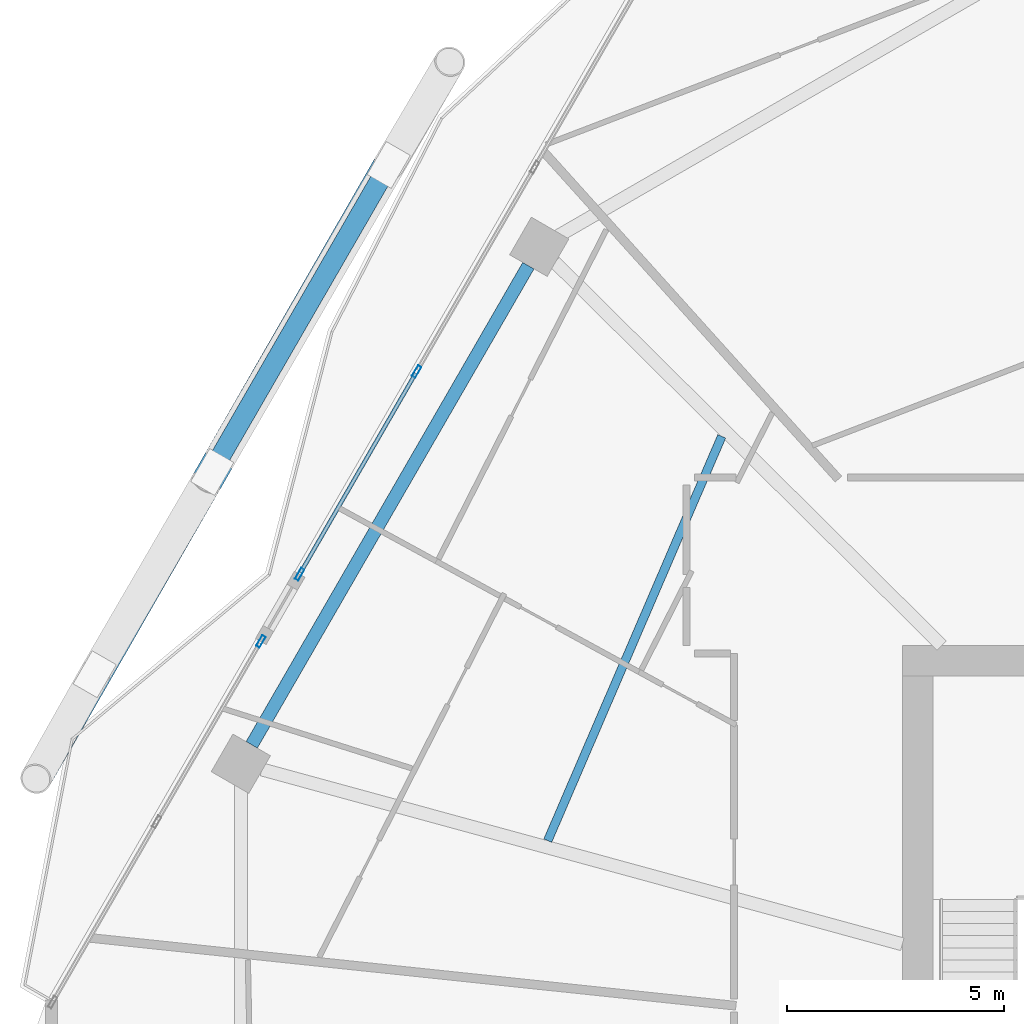
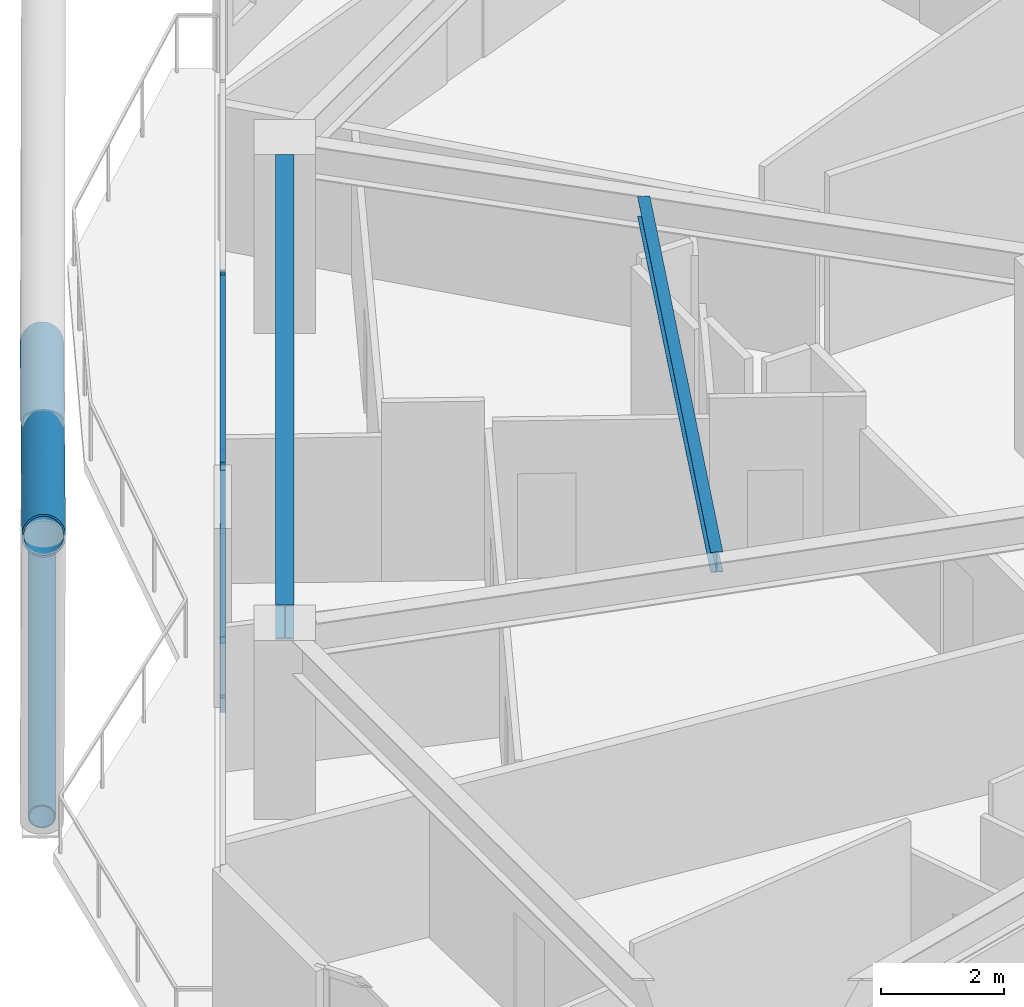
# One storey, part 11 of 28: 7 members, 2 beams, 2 elements without a shape of their own.
"""IFC4 building model written with IfcOpenShell, lengths in metres."""

import ifcopenshell
import ifcopenshell.guid

model = None  # the IFC model being written
_history = None  # IfcOwnerHistory: only IFC2X3 demands one
_inside = {}  # id of a spatial element -> (the spatial element, [elements in it])
_under = {}  # id of a project, library or spatial element -> (it, [spatial elements below it])
_declared = {}  # id of a project -> (the project, [libraries it declares])
_typed = {}  # id of a type object -> (the type object, [elements of that type])
_made_of = {}  # id of a material, layer set ... -> (it, [elements and type objects made of it])


def new_model(schema):
    """Start an empty IFC model of exactly this schema.

    Asked for "IFC4X3", IfcOpenShell would pick the latest addendum, in which some entities
    have other attributes; the version numbers below select the first issue.
    IFC2X3 requires an IfcOwnerHistory on every rooted entity: one is made here for all.
    """
    global model, _history
    if schema == "IFC4X3":
        model = ifcopenshell.file(schema_version=(4, 3, 0, 0))
    else:
        model = ifcopenshell.file(schema=schema)
    _inside.clear()
    _under.clear()
    _declared.clear()
    _typed.clear()
    _made_of.clear()
    _history = None
    if model.schema == "IFC2X3":
        org = make("IfcOrganization", Name="unknown")
        user = make(
            "IfcPersonAndOrganization",
            ThePerson=make("IfcPerson", FamilyName="unknown"),
            TheOrganization=org,
        )
        app = make(
            "IfcApplication",
            ApplicationDeveloper=org,
            Version="unknown",
            ApplicationFullName="unknown",
            ApplicationIdentifier="unknown",
        )
        _history = make(
            "IfcOwnerHistory",
            OwningUser=user,
            OwningApplication=app,
            ChangeAction="ADDED",
            CreationDate=0,
        )
    return model


def make(cls, **values):
    """One entity of the class cls with the attributes given. An attribute that is None is left unset."""
    return model.create_entity(
        cls, **{name: value for name, value in values.items() if value is not None}
    )


def rooted(cls, **values):
    """An entity with a GlobalId (a new one), such as an element, a storey or a relation."""
    return make(cls, GlobalId=ifcopenshell.guid.new(), OwnerHistory=_history, **values)


def si_unit(unit_type, name, prefix=None):
    """IfcSIUnit, for example si_unit("LENGTHUNIT", "METRE", prefix="MILLI")."""
    return make("IfcSIUnit", UnitType=unit_type, Prefix=prefix, Name=name)


def assignment(units):
    """IfcUnitAssignment: the units of a project."""
    return None if units is None else make("IfcUnitAssignment", Units=units)


def point(xyz):
    """IfcCartesianPoint."""
    return None if xyz is None else make("IfcCartesianPoint", Coordinates=xyz)


def direction(xyz):
    """IfcDirection."""
    return None if xyz is None else make("IfcDirection", DirectionRatios=xyz)


def frame(location, z_axis=None, x_axis=None):
    """IfcAxis2Placement3D, a coordinate frame: its origin and axes. An axis left out is left unset."""
    return make(
        "IfcAxis2Placement3D",
        Location=point(location),
        Axis=direction(z_axis),
        RefDirection=direction(x_axis),
    )


def frame_2d(location, x_axis=None):
    """IfcAxis2Placement2D, a coordinate frame in the plane: its origin and x axis."""
    return make(
        "IfcAxis2Placement2D", Location=point(location), RefDirection=direction(x_axis)
    )


def origin():
    """The frame at (0, 0, 0) with its axes left unset."""
    return frame((0.0, 0.0, 0.0))


def origin_2d():
    """The frame at (0, 0) in the plane with its x axis left unset."""
    return frame_2d((0.0, 0.0))


def place(relative_to, where):
    """IfcLocalPlacement: puts the frame where relative to a parent placement (None: the world)."""
    return make(
        "IfcLocalPlacement", PlacementRelTo=relative_to, RelativePlacement=where
    )


def context(
    kind, dimensions, precision=None, world=None, true_north=None, identifier=None
):
    """IfcGeometricRepresentationContext, for example the 3D "Model" context."""
    return make(
        "IfcGeometricRepresentationContext",
        ContextIdentifier=identifier,
        ContextType=kind,
        CoordinateSpaceDimension=dimensions,
        Precision=precision,
        WorldCoordinateSystem=world,
        TrueNorth=true_north,
    )


def subcontext(parent, identifier, kind, view, scale=None):
    """IfcGeometricRepresentationSubContext, for example "Body" below "Model"."""
    return make(
        "IfcGeometricRepresentationSubContext",
        ContextIdentifier=identifier,
        ContextType=kind,
        ParentContext=parent,
        TargetScale=scale,
        TargetView=view,
    )


def project(units=None, contexts=None):
    """IfcProject with its units and contexts."""
    return rooted(
        "IfcProject",
        Name="project",
        RepresentationContexts=contexts,
        UnitsInContext=assignment(units),
    )


def spatial(cls, under=None, at=None, **own):
    """A site, building, storey or space (cls), placed at a placement, below another one or the project."""
    s = rooted(cls, ObjectPlacement=at, **own)
    if under is not None:
        _under.setdefault(under.id(), (under, []))[1].append(s)
    return s


def profile(cls, at=None, kind="AREA", **sizes):
    """A parametric profile (cls). Its sizes go by their IFC names, for example OverallWidth=200.0."""
    return make(cls, ProfileType=kind, Position=at, **sizes)


def hollow_rectangle(**sizes):
    """IfcRectangleHollowProfileDef."""
    return profile("IfcRectangleHollowProfileDef", **sizes)


def hollow_circle(**sizes):
    """IfcCircleHollowProfileDef."""
    return profile("IfcCircleHollowProfileDef", **sizes)


def i_section(**sizes):
    """IfcIShapeProfileDef."""
    return profile("IfcIShapeProfileDef", **sizes)


def extrude(swept, where, along, depth):
    """IfcExtrudedAreaSolid: the profile swept, set in the frame where, extruded along a direction by depth."""
    return make(
        "IfcExtrudedAreaSolid",
        SweptArea=swept,
        Position=where,
        ExtrudedDirection=direction(along),
        Depth=depth,
    )


def shape(context_of_items, identifier, shape_type, items):
    """IfcShapeRepresentation: the items that make up one representation, for example the "Body"."""
    return make(
        "IfcShapeRepresentation",
        ContextOfItems=context_of_items,
        RepresentationIdentifier=identifier,
        RepresentationType=shape_type,
        Items=items,
    )


def material(Name=None, Category=None):
    """IfcMaterial."""
    return make("IfcMaterial", Name=Name, Category=Category)


def material_profile(
    of_material, cross_section, Name=None, Category=None, Priority=None
):
    """IfcMaterialProfile: a cross section and its material."""
    return make(
        "IfcMaterialProfile",
        Name=Name,
        Material=of_material,
        Profile=cross_section,
        Priority=Priority,
        Category=Category,
    )


def profile_set(profiles, Name=None, composite=None):
    """IfcMaterialProfileSet."""
    return make(
        "IfcMaterialProfileSet",
        Name=Name,
        MaterialProfiles=profiles,
        CompositeProfile=composite,
    )


def made_of(thing, what):
    """Note that an element or type object is made of a material, layer set ...; save() writes the relation."""
    if what is not None:
        _made_of.setdefault(what.id(), (what, []))[1].append(thing)
    return thing


def type_object(cls, material=None, **own):
    """A type object (cls), such as IfcWallType, which elements share."""
    return made_of(rooted(cls, **own), material)


def element(
    cls,
    number,
    at=None,
    inside=None,
    cuts=None,
    type_object=None,
    material=None,
    context=None,
    identifier="Body",
    shape_type=None,
    held_by="IfcProductDefinitionShape",
    body=None,
    shapes=None,
    **own,
):
    """One element of the class cls, such as IfcWall. Its Tag is "e" and its number.

    at: its placement. inside: the storey or other place that contains it. cuts: it is an
    opening in that element (IfcRelVoidsElement). A single representation is given by context,
    identifier, shape_type and body (its items); several are given by shapes. held_by: the class
    of the entity that holds the representations. save() writes the other relations.
    """
    e = rooted(cls, Tag="e%d" % number, ObjectPlacement=at, **own)
    if body is not None:
        shapes = [shape(context, identifier, shape_type, body)]
    if shapes is not None:
        e.Representation = make(held_by, Representations=shapes)
    if inside is not None:
        _inside.setdefault(inside.id(), (inside, []))[1].append(e)
    if cuts is not None:
        rooted(
            "IfcRelVoidsElement", RelatingBuildingElement=cuts, RelatedOpeningElement=e
        )
    if type_object is not None:
        _typed.setdefault(type_object.id(), (type_object, []))[1].append(e)
    return made_of(e, material)


def aggregate(whole, parts):
    """IfcRelAggregates: a whole, such as a stair, and the parts it consists of."""
    return rooted("IfcRelAggregates", RelatingObject=whole, RelatedObjects=parts)


def save(model, path):
    """Write the relations noted so far, then the file.

    IfcRelAggregates (storeys below a building ...), IfcRelContainedInSpatialStructure (elements
    in a storey), IfcRelDefinesByType, IfcRelAssociatesMaterial and IfcRelDeclares: one each for
    every whole, place, type object, material and project.
    """
    for whole, parts in _under.values():
        aggregate(whole, parts)
    for where, things in _inside.values():
        rooted(
            "IfcRelContainedInSpatialStructure",
            RelatedElements=things,
            RelatingStructure=where,
        )
    for kind, things in _typed.values():
        rooted("IfcRelDefinesByType", RelatedObjects=things, RelatingType=kind)
    for what, things in _made_of.values():
        rooted("IfcRelAssociatesMaterial", RelatedObjects=things, RelatingMaterial=what)
    for by, libraries in _declared.values():
        rooted("IfcRelDeclares", RelatingContext=by, RelatedDefinitions=libraries)
    model.write(path)


model = new_model("IFC4")

# Units and contexts
model_context = context("Model", 3, precision=1e-05, world=origin(), true_north=direction((0.0, 1.0)))
body_context = subcontext(model_context, "Body", "Model", "MODEL_VIEW")
ifc_project = project(units=[si_unit("LENGTHUNIT", "METRE"), si_unit("AREAUNIT", "SQUARE_METRE"), si_unit("VOLUMEUNIT", "CUBIC_METRE"), si_unit("PLANEANGLEUNIT", "RADIAN"), si_unit("MASSUNIT", "GRAM", prefix="KILO")], contexts=[model_context])

# Site, building, storey
site_placement = place(None, origin())
site = spatial("IfcSite", under=ifc_project, at=site_placement, CompositionType="ELEMENT")
building_placement = place(site_placement, origin())
building = spatial("IfcBuilding", under=site, at=building_placement, Name="Zuhravey Tower", CompositionType="ELEMENT")
storey_placement = place(building_placement, frame((0.0, 0.0, 154.199951171875)))
storey = spatial("IfcBuildingStorey", under=building, at=storey_placement, Name="L38", CompositionType="ELEMENT", Elevation=154.199951171875)

# Curtain wall, member
ifc_material_1 = material(Name="Thermally broken anodised aluminium", Category="aluminium")
curtain_wall_type = type_object("IfcCurtainWallType", Name="Zone 1-2 Residential Curtain Wall CW3", PredefinedType="NOTDEFINED", material=ifc_material_1)
curtain_wall_1_placement = place(storey_placement, origin())
curtain_wall_1 = element("IfcCurtainWall", 1, at=curtain_wall_1_placement, inside=storey, type_object=curtain_wall_type, Name="L38 CW3 CW-L38-F3-1", PredefinedType="NOTDEFINED")
ifc_material_2 = material(Name="Anodised aluminium", Category="aluminium")
ifc_material_profile_1 = material_profile(ifc_material_2, hollow_rectangle(XDim=0.090087890625, YDim=0.284912109375, WallThickness=0.0048828125, at=origin_2d()), Name="ALU-RHS-90x285x5")
ifc_profile_set_1 = profile_set([ifc_material_profile_1], Name="Anodised aluminium")
member_type_1 = type_object("IfcMemberType", Name="Curtain-Wall Mullion 90x180", PredefinedType="MULLION", material=ifc_profile_set_1)
member_1_placement = place(storey_placement, frame((10.353759765625, 41.94580078125, 0.0), z_axis=(0.0, 0.0, 1.0), x_axis=(-0.866026550612, 0.499998013631, 0.0)))
member_1 = element("IfcMember", 2, at=member_1_placement, type_object=member_type_1, Name="CW3 mullion 3", PredefinedType="MULLION", context=body_context, shape_type="SweptSolid", body=[
    extrude(hollow_rectangle(XDim=0.090087890625, YDim=0.284912109375, WallThickness=0.0048828125, at=origin_2d()), origin(), (0.0, 0.0, 1.0), 3.550048828125),
])
aggregate(curtain_wall_1, [member_1])

# Curtain wall, members
curtain_wall_2_placement = place(storey_placement, origin())
curtain_wall_2 = element("IfcCurtainWall", 3, at=curtain_wall_2_placement, inside=storey, type_object=curtain_wall_type, Name="L38 CW3 CW-L38-F3-2", PredefinedType="NOTDEFINED")
member_2_placement = place(storey_placement, frame((11.248779296875, 43.495849609375, 0.0), z_axis=(0.0, 0.0, 1.0), x_axis=(-0.866024933025, 0.500000815378, 0.0)))
member_2 = element("IfcMember", 4, at=member_2_placement, type_object=member_type_1, Name="CW3 mullion 1", PredefinedType="MULLION", context=body_context, shape_type="SweptSolid", body=[
    extrude(hollow_rectangle(XDim=0.090087890625, YDim=0.284912109375, WallThickness=0.0048828125, at=origin_2d()), origin(), (0.0, 0.0, 1.0), 3.550048828125),
])
member_3_placement = place(storey_placement, frame((13.947265625, 48.169921875, 0.0), z_axis=(0.0, 0.0, 1.0), x_axis=(-0.866024933025, 0.500000815378, 0.0)))
member_3 = element("IfcMember", 5, at=member_3_placement, type_object=member_type_1, Name="CW3 mullion 2", PredefinedType="MULLION", context=body_context, shape_type="SweptSolid", body=[
    extrude(hollow_rectangle(XDim=0.090087890625, YDim=0.284912109375, WallThickness=0.0048828125, at=origin_2d()), origin(), (0.0, 0.0, 1.0), 3.550048828125),
])
ifc_material_profile_2 = material_profile(ifc_material_2, hollow_rectangle(XDim=0.090087890625, YDim=0.14990234375, WallThickness=0.0048828125, at=origin_2d()), Name="ALU-RHS-90x150x5")
ifc_profile_set_2 = profile_set([ifc_material_profile_2], Name="Anodised aluminium")
member_type_2 = type_object("IfcMemberType", Name="Curtain-Wall Transom 90x150", PredefinedType="USERDEFINED", material=ifc_profile_set_2)
member_4_placement = place(storey_placement, frame((11.271240234375, 43.534912109375, 0.045166015625), z_axis=(0.500013151769, 0.866017810474, 0.0), x_axis=(-0.866017810474, 0.500013151769, 0.0)))
member_4 = element("IfcMember", 6, at=member_4_placement, type_object=member_type_2, Name="CW3 transom 1.1", ObjectType="TRANSOM", PredefinedType="USERDEFINED", context=body_context, shape_type="SweptSolid", body=[
    extrude(hollow_rectangle(XDim=0.090087890625, YDim=0.14990234375, WallThickness=0.0048828125, at=origin_2d()), origin(), (0.0, 0.0, 1.0), 5.306884765625),
])
member_5_placement = place(storey_placement, frame((11.271240234375, 43.534912109375, 3.505126953125), z_axis=(0.500013151769, 0.866017810474, 0.0), x_axis=(-0.866017810474, 0.500013151769, 0.0)))
member_5 = element("IfcMember", 7, at=member_5_placement, type_object=member_type_2, Name="CW3 transom 1.2", ObjectType="TRANSOM", PredefinedType="USERDEFINED", context=body_context, shape_type="SweptSolid", body=[
    extrude(hollow_rectangle(XDim=0.090087890625, YDim=0.14990234375, WallThickness=0.0048828125, at=origin_2d()), origin(), (0.0, 0.0, 1.0), 5.306884765625),
])
aggregate(curtain_wall_2, [member_2, member_3, member_4, member_5])

# Members
ifc_material_3 = material(Name="Steel SM355", Category="steel")
ifc_material_profile_3 = material_profile(ifc_material_3, hollow_circle(Radius=0.228515625, WallThickness=0.02197265625, at=origin_2d()), Name="CHS-457.2x22")
ifc_profile_set_3 = profile_set([ifc_material_profile_3], Name="Steel SM355")
member_type_3 = type_object("IfcMemberType", Name="Exoskeleton Ring Tie CHS457x22", PredefinedType="CHORD", material=ifc_profile_set_3)
member_6_placement = place(storey_placement, frame((13.233154296875, 52.812744140625, -0.4638671875), z_axis=(-0.499996131841, -0.866027637056, 0.0), x_axis=(0.866027637056, -0.499996131841, 0.0)))
element("IfcMember", 8, at=member_6_placement, inside=storey, type_object=member_type_3, Name="L38 Exoskeleton Face 3 Tie EXR1", PredefinedType="CHORD", context=body_context, shape_type="SweptSolid", body=[
    extrude(hollow_circle(Radius=0.228515625, WallThickness=0.02197265625, at=origin_2d()), origin(), (0.0, 0.0, 1.0), 13.28173828125),
])
ifc_material_4 = material(Name="Steel SM460", Category="steel")
ifc_material_profile_4 = material_profile(ifc_material_4, hollow_circle(Radius=0.355712890625, WallThickness=0.031982421875, at=origin_2d()), Name="CHS-711.2x32")
ifc_profile_set_4 = profile_set([ifc_material_profile_4], Name="Steel SM460")
member_type_4 = type_object("IfcMemberType", Name="Exoskeleton Zone 2 Diagrid CHS711x32", PredefinedType="BRACE", material=ifc_profile_set_4)
member_7_placement = place(storey_placement, frame((13.28173828125, 52.896728515625, -0.44384765625), z_axis=(-0.451902231108, -0.786040707833, 0.421810833371), x_axis=(0.866940223657, -0.498412127266, 0.0)))
element("IfcMember", 9, at=member_7_placement, inside=storey, type_object=member_type_4, Name="L38 Face 3 Diagrid Brace 2", PredefinedType="BRACE", context=body_context, shape_type="SweptSolid", body=[
    extrude(hollow_circle(Radius=0.355712890625, WallThickness=0.031982421875, at=origin_2d()), origin(), (0.0, 0.0, 1.0), 17.92236328125),
])

# Beams
ifc_material_profile_5 = material_profile(ifc_material_3, i_section(OverallWidth=0.300048828125, OverallDepth=0.679931640625, WebThickness=0.012939453125, FlangeThickness=0.02197265625, at=origin_2d()), Name="H-680x300x13x22")
ifc_profile_set_5 = profile_set([ifc_material_profile_5], Name="Steel SM355")
beam_type_1 = type_object("IfcBeamType", Name="Perimeter Ring Beam H680x300", PredefinedType="BEAM", material=ifc_profile_set_5)
beam_1_placement = place(storey_placement, frame((16.52294921875, 50.611083984375, 3.2099609375), z_axis=(-0.499997974489, -0.866026573211, 0.0), x_axis=(0.866026573211, -0.499997974489, 0.0)))
element("IfcBeam", 10, at=beam_1_placement, inside=storey, type_object=beam_type_1, Name="L38 PB2 BM-L38-PB-05", PredefinedType="BEAM", context=body_context, shape_type="SweptSolid", body=[
    extrude(i_section(OverallWidth=0.300048828125, OverallDepth=0.679931640625, WebThickness=0.012939453125, FlangeThickness=0.02197265625, at=origin_2d()), origin(), (0.0, 0.0, 1.0), 12.75830078125),
])
ifc_material_profile_6 = material_profile(ifc_material_3, i_section(OverallWidth=0.199951171875, OverallDepth=0.39990234375, WebThickness=0.008056640625, FlangeThickness=0.012939453125, at=origin_2d()), Name="H-400x200x8x13")
ifc_profile_set_6 = profile_set([ifc_material_profile_6], Name="Steel SM355")
beam_type_2 = type_object("IfcBeamType", Name="Secondary Floor Joist H400x200", PredefinedType="JOIST", material=ifc_profile_set_6)
beam_2_placement = place(storey_placement, frame((20.982421875, 46.676025390625, 3.35009765625), z_axis=(-0.395265853487, -0.918566766799, 0.0), x_axis=(0.918566766799, -0.395265853487, 0.0)))
element("IfcBeam", 11, at=beam_2_placement, inside=storey, type_object=beam_type_2, Name="L38 SJ2 BM-L38-SJ-05-1", PredefinedType="JOIST", context=body_context, shape_type="SweptSolid", body=[
    extrude(i_section(OverallWidth=0.199951171875, OverallDepth=0.39990234375, WebThickness=0.008056640625, FlangeThickness=0.012939453125, at=origin_2d()), origin(), (0.0, 0.0, 1.0), 10.150146484375),
])

save(model, "model.ifc")
